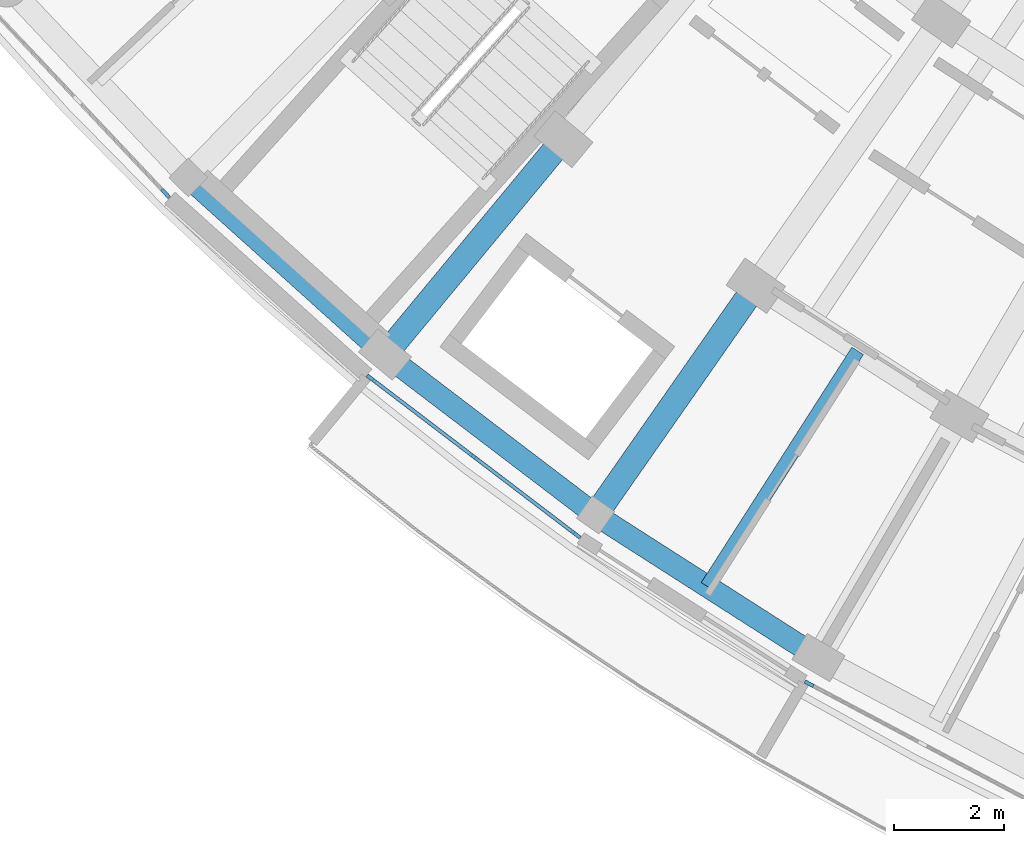
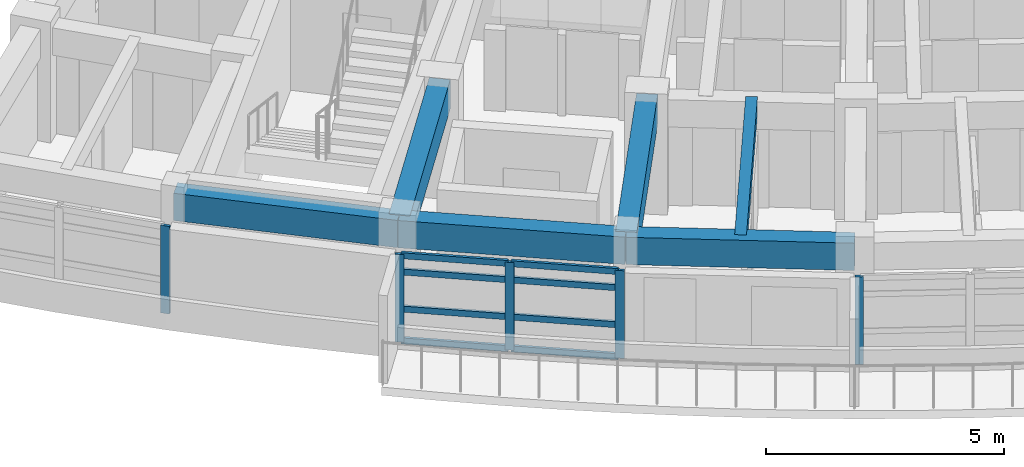
# One storey, part 10 of 70: 13 members, 6 beams, 3 elements without a shape of their own.
"""IFC4 building model written with IfcOpenShell, lengths in metres."""

from ifc_helpers import new_model, si_unit, direction, frame, origin, origin_2d, place, context, subcontext, project, spatial, rectangle, extrude, material, material_profile, profile_set, type_object, element, aggregate, save


model = new_model("IFC4")

# Units and contexts
model_context = context("Model", 3, precision=1e-05, world=origin(), true_north=direction((0.0, 1.0)))
body_context = subcontext(model_context, "Body", "Model", "MODEL_VIEW")
ifc_project = project(units=[si_unit("LENGTHUNIT", "METRE"), si_unit("AREAUNIT", "SQUARE_METRE"), si_unit("VOLUMEUNIT", "CUBIC_METRE"), si_unit("PLANEANGLEUNIT", "RADIAN"), si_unit("MASSUNIT", "GRAM", prefix="KILO")], contexts=[model_context])

# Site, building, storey
site_placement = place(None, origin())
site = spatial("IfcSite", under=ifc_project, at=site_placement, CompositionType="ELEMENT")
building_placement = place(site_placement, origin())
building = spatial("IfcBuilding", under=site, at=building_placement, Name="Zimvara Arc Housing Community", CompositionType="ELEMENT")
storey_placement = place(building_placement, frame((0.0, 0.0, 8.10009765625)))
storey = spatial("IfcBuildingStorey", under=building, at=storey_placement, Name="L02", CompositionType="ELEMENT", Elevation=8.10009765625)

# Beams
ifc_material_1 = material(Name="Concrete C40/50", Category="concrete")
ifc_material_profile_1 = material_profile(ifc_material_1, rectangle(XDim=0.25, YDim=0.449951171875, at=origin_2d()), Name="RC 250x450")
ifc_profile_set_1 = profile_set([ifc_material_profile_1], Name="Concrete C40/50")
beam_type_1 = type_object("IfcBeamType", Name="BM-RC-250x450", PredefinedType="JOIST", material=ifc_profile_set_1)
beam_1_placement = place(storey_placement, frame((97.00244140625, 64.583984375, 2.65478515625), z_axis=(-0.539052331508, -0.842272274206, 0.0), x_axis=(0.842272274206, -0.539052331508, 0.0)))
element("IfcBeam", 1, at=beam_1_placement, inside=storey, type_object=beam_type_1, Name="bm:blkC:L02:joist:b3", PredefinedType="JOIST", context=body_context, shape_type="SweptSolid", body=[
    extrude(rectangle(XDim=0.25, YDim=0.449951171875, at=origin_2d()), origin(), (0.0, 0.0, 1.0), 5.07568359375),
])
ifc_material_2 = material(Name="Concrete C40/50", Category="concrete")
ifc_material_profile_2 = material_profile(ifc_material_2, rectangle(XDim=0.39990234375, YDim=0.699951171875, at=origin_2d()), Name="RC 400x700")
ifc_profile_set_2 = profile_set([ifc_material_profile_2], Name="Concrete C40/50")
beam_type_2 = type_object("IfcBeamType", Name="BM-RC-400x700", PredefinedType="BEAM", material=ifc_profile_set_2)
for number, where, z_axis, x_axis, name in (
    (2, (84.842529296875, 67.734375, 2.52978515625), (0.743369885629, -0.668880567172, 0.0), (0.668880567172, 0.743369885629, 0.0), "bm:blkC:L02:chord:r3:b1"),
    (3, (88.416748046875, 64.518310546875, 2.52978515625), (0.795480673672, -0.605978958228, 0.0), (0.605978958228, 0.795480673672, 0.0), "bm:blkC:L02:chord:r3:b2"),
    (4, (92.241455078125, 61.604736328125, 2.52978515625), (0.842278777856, -0.539042169383, 0.0), (0.539042169383, 0.842278777856, 0.0), "bm:blkC:L02:chord:r3:b3"),
):
    element("IfcBeam", number, at=place(storey_placement, frame(where, z_axis=z_axis, x_axis=x_axis)), inside=storey, type_object=beam_type_2, Name=name, PredefinedType="BEAM", context=body_context, shape_type="SweptSolid", body=[
        extrude(rectangle(XDim=0.39990234375, YDim=0.699951171875, at=origin_2d()), origin(), (0.0, 0.0, 1.0), 4.80810546875),
    ])
ifc_material_3 = material(Name="Concrete C40/50", Category="concrete")
ifc_material_profile_3 = material_profile(ifc_material_3, rectangle(XDim=0.449951171875, YDim=0.75, at=origin_2d()), Name="RC 450x750")
ifc_profile_set_3 = profile_set([ifc_material_profile_3], Name="Concrete C40/50")
beam_type_3 = type_object("IfcBeamType", Name="BM-RC-450x750", PredefinedType="BEAM", material=ifc_profile_set_3)
beam_2_placement = place(storey_placement, frame((91.65771484375, 68.430419921875, 2.5048828125), z_axis=(-0.637960059333, -0.770069453164, 0.0), x_axis=(0.770069453164, -0.637960059333, 0.0)))
element("IfcBeam", 5, at=beam_2_placement, inside=storey, type_object=beam_type_3, Name="bm:blkC:L02:rad:b2:r23", PredefinedType="BEAM", context=body_context, shape_type="SweptSolid", body=[
    extrude(rectangle(XDim=0.449951171875, YDim=0.75, at=origin_2d()), origin(), (0.0, 0.0, 1.0), 5.080322265625),
])
beam_3_placement = place(storey_placement, frame((95.15234375, 65.76806640625, 2.5048828125), z_axis=(-0.573007469479, -0.819550144848, 0.0), x_axis=(0.819550144848, -0.573007469479, 0.0)))
element("IfcBeam", 6, at=beam_3_placement, inside=storey, type_object=beam_type_3, Name="bm:blkC:L02:rad:b3:r23", PredefinedType="BEAM", context=body_context, shape_type="SweptSolid", body=[
    extrude(rectangle(XDim=0.449951171875, YDim=0.75, at=origin_2d()), origin(), (0.0, 0.0, 1.0), 5.080078125),
])

# Curtain wall, member
ifc_material_4 = material(Name="Anodised Aluminium AW-6063", Category="aluminium")
curtain_wall_type_1 = type_object("IfcCurtainWallType", Name="CW-SYS-02", PredefinedType="USERDEFINED", material=ifc_material_4)
curtain_wall_1_placement = place(storey_placement, origin())
curtain_wall_1 = element("IfcCurtainWall", 7, at=curtain_wall_1_placement, inside=storey, type_object=curtain_wall_type_1, Name="cw:blkC:L02:out:b4", ObjectType="CURTAIN WALL", PredefinedType="USERDEFINED")
ifc_material_5 = material(Name="Anodised Aluminium AW-6063", Category="aluminium")
ifc_material_profile_4 = material_profile(ifc_material_5, rectangle(XDim=0.06494140625, YDim=0.179931640625, at=origin_2d()), Name="ALU 65x180")
ifc_profile_set_4 = profile_set([ifc_material_profile_4], Name="Anodised Aluminium AW-6063")
member_type_1 = type_object("IfcMemberType", Name="CWM-65x150", PredefinedType="MULLION", material=ifc_profile_set_4)
member_1_placement = place(storey_placement, frame((96.120849609375, 58.537841796875, 0.0), z_axis=(0.0, 0.0, 1.0), x_axis=(0.468546917761, 0.883438614651, 0.0)))
member_1 = element("IfcMember", 8, at=member_1_placement, type_object=member_type_1, Name="CW02 mullion 1", PredefinedType="MULLION", context=body_context, shape_type="SweptSolid", body=[
    extrude(rectangle(XDim=0.06494140625, YDim=0.179931640625, at=origin_2d()), origin(), (0.0, 0.0, 1.0), 2.25),
])
aggregate(curtain_wall_1, [member_1])

ifc_material_6 = material(Name="Anodised Aluminium AW-6063", Category="aluminium")
curtain_wall_type_2 = type_object("IfcCurtainWallType", Name="CW-SYS-05", PredefinedType="USERDEFINED", material=ifc_material_6)
curtain_wall_2_placement = place(storey_placement, origin())
curtain_wall_2 = element("IfcCurtainWall", 9, at=curtain_wall_2_placement, inside=storey, type_object=curtain_wall_type_2, Name="cw:blkC:L02:out:b0", ObjectType="CURTAIN WALL", PredefinedType="USERDEFINED")
ifc_material_7 = material(Name="Anodised Aluminium AW-6063", Category="aluminium")
ifc_material_profile_5 = material_profile(ifc_material_7, rectangle(XDim=0.06494140625, YDim=0.195068359375, at=origin_2d()), Name="ALU 65x195")
ifc_profile_set_5 = profile_set([ifc_material_profile_5], Name="Anodised Aluminium AW-6063")
member_type_2 = type_object("IfcMemberType", Name="CWM-65x180", PredefinedType="MULLION", material=ifc_profile_set_5)
member_2_placement = place(storey_placement, frame((84.4296875, 67.44384765625, 0.0), z_axis=(0.0, 0.0, 1.0), x_axis=(0.727293647725, 0.686326416495, 0.0)))
member_2 = element("IfcMember", 10, at=member_2_placement, type_object=member_type_2, Name="CW05 mullion 3", PredefinedType="MULLION", context=body_context, shape_type="SweptSolid", body=[
    extrude(rectangle(XDim=0.06494140625, YDim=0.195068359375, at=origin_2d()), origin(), (0.0, 0.0, 1.0), 2.25),
])
aggregate(curtain_wall_2, [member_2])

# Curtain wall, members
ifc_material_8 = material(Name="Anodised Aluminium AW-6063", Category="aluminium")
curtain_wall_type_3 = type_object("IfcCurtainWallType", Name="CW-SYS-07", PredefinedType="USERDEFINED", material=ifc_material_8)
curtain_wall_3_placement = place(storey_placement, origin())
curtain_wall_3 = element("IfcCurtainWall", 11, at=curtain_wall_3_placement, inside=storey, type_object=curtain_wall_type_3, Name="cw:blkC:L02:out:b2", ObjectType="CURTAIN WALL", PredefinedType="USERDEFINED")
member_3_placement = place(storey_placement, frame((88.17138671875, 64.077392578125, 0.0), z_axis=(0.0, 0.0, 1.0), x_axis=(0.60598771987, 0.795473999177, 0.0)))
member_3 = element("IfcMember", 12, at=member_3_placement, type_object=member_type_2, Name="CW07 mullion 1", PredefinedType="MULLION", context=body_context, shape_type="SweptSolid", body=[
    extrude(rectangle(XDim=0.06494140625, YDim=0.195068359375, at=origin_2d()), origin(), (0.0, 0.0, 1.0), 2.25),
])
member_4_placement = place(storey_placement, frame((90.0263671875, 62.6640625, 0.0), z_axis=(0.0, 0.0, 1.0), x_axis=(0.60598771987, 0.795473999177, 0.0)))
member_4 = element("IfcMember", 13, at=member_4_placement, type_object=member_type_2, Name="CW07 mullion 2", PredefinedType="MULLION", context=body_context, shape_type="SweptSolid", body=[
    extrude(rectangle(XDim=0.06494140625, YDim=0.195068359375, at=origin_2d()), origin(), (0.0, 0.0, 1.0), 2.25),
])
member_5_placement = place(storey_placement, frame((91.88134765625, 61.2509765625, 0.0), z_axis=(0.0, 0.0, 1.0), x_axis=(0.60598771987, 0.795473999177, 0.0)))
member_5 = element("IfcMember", 14, at=member_5_placement, type_object=member_type_2, Name="CW07 mullion 3", PredefinedType="MULLION", context=body_context, shape_type="SweptSolid", body=[
    extrude(rectangle(XDim=0.06494140625, YDim=0.195068359375, at=origin_2d()), origin(), (0.0, 0.0, 1.0), 2.25),
])
ifc_material_9 = material(Name="Anodised Aluminium AW-6063", Category="aluminium")
ifc_material_profile_6 = material_profile(ifc_material_9, rectangle(XDim=0.06494140625, YDim=0.155029296875, at=origin_2d()), Name="ALU 65x155")
ifc_profile_set_6 = profile_set([ifc_material_profile_6], Name="Anodised Aluminium AW-6063")
member_type_3 = type_object("IfcMemberType", Name="CWT-65x140", PredefinedType="USERDEFINED", material=ifc_profile_set_6)
member_6_placement = place(storey_placement, frame((88.197265625, 64.0576171875, 0.032470703125), z_axis=(0.795453969776, -0.606014011363, 0.0), x_axis=(0.606014011363, 0.795453969776, 0.0)))
member_6 = element("IfcMember", 15, at=member_6_placement, type_object=member_type_3, Name="CW07 transom 1.1", ObjectType="TRANSOM", PredefinedType="USERDEFINED", context=body_context, shape_type="SweptSolid", body=[
    extrude(rectangle(XDim=0.06494140625, YDim=0.155029296875, at=origin_2d()), origin(), (0.0, 0.0, 1.0), 2.266845703125),
])
member_7_placement = place(storey_placement, frame((88.197265625, 64.0576171875, 0.849853515625), z_axis=(0.795453969776, -0.606014011363, 0.0), x_axis=(0.606014011363, 0.795453969776, 0.0)))
member_7 = element("IfcMember", 16, at=member_7_placement, type_object=member_type_3, Name="CW07 transom 1.2", ObjectType="TRANSOM", PredefinedType="USERDEFINED", context=body_context, shape_type="SweptSolid", body=[
    extrude(rectangle(XDim=0.06494140625, YDim=0.155029296875, at=origin_2d()), origin(), (0.0, 0.0, 1.0), 2.266845703125),
])
member_8_placement = place(storey_placement, frame((88.197265625, 64.0576171875, 1.7998046875), z_axis=(0.795453969776, -0.606014011363, 0.0), x_axis=(0.606014011363, 0.795453969776, 0.0)))
member_8 = element("IfcMember", 17, at=member_8_placement, type_object=member_type_3, Name="CW07 transom 1.3", ObjectType="TRANSOM", PredefinedType="USERDEFINED", context=body_context, shape_type="SweptSolid", body=[
    extrude(rectangle(XDim=0.06494140625, YDim=0.155029296875, at=origin_2d()), origin(), (0.0, 0.0, 1.0), 2.266845703125),
])
member_9_placement = place(storey_placement, frame((88.197265625, 64.0576171875, 2.21728515625), z_axis=(0.795453969776, -0.606014011363, 0.0), x_axis=(0.606014011363, 0.795453969776, 0.0)))
member_9 = element("IfcMember", 18, at=member_9_placement, type_object=member_type_3, Name="CW07 transom 1.4", ObjectType="TRANSOM", PredefinedType="USERDEFINED", context=body_context, shape_type="SweptSolid", body=[
    extrude(rectangle(XDim=0.06494140625, YDim=0.155029296875, at=origin_2d()), origin(), (0.0, 0.0, 1.0), 2.266845703125),
])
member_10_placement = place(storey_placement, frame((90.05224609375, 62.64453125, 0.032470703125), z_axis=(0.795453969776, -0.606014011363, 0.0), x_axis=(0.606014011363, 0.795453969776, 0.0)))
member_10 = element("IfcMember", 19, at=member_10_placement, type_object=member_type_3, Name="CW07 transom 2.1", ObjectType="TRANSOM", PredefinedType="USERDEFINED", context=body_context, shape_type="SweptSolid", body=[
    extrude(rectangle(XDim=0.06494140625, YDim=0.155029296875, at=origin_2d()), origin(), (0.0, 0.0, 1.0), 2.266845703125),
])
member_11_placement = place(storey_placement, frame((90.05224609375, 62.64453125, 0.849853515625), z_axis=(0.795453969776, -0.606014011363, 0.0), x_axis=(0.606014011363, 0.795453969776, 0.0)))
member_11 = element("IfcMember", 20, at=member_11_placement, type_object=member_type_3, Name="CW07 transom 2.2", ObjectType="TRANSOM", PredefinedType="USERDEFINED", context=body_context, shape_type="SweptSolid", body=[
    extrude(rectangle(XDim=0.06494140625, YDim=0.155029296875, at=origin_2d()), origin(), (0.0, 0.0, 1.0), 2.266845703125),
])
member_12_placement = place(storey_placement, frame((90.05224609375, 62.64453125, 1.7998046875), z_axis=(0.795453969776, -0.606014011363, 0.0), x_axis=(0.606014011363, 0.795453969776, 0.0)))
member_12 = element("IfcMember", 21, at=member_12_placement, type_object=member_type_3, Name="CW07 transom 2.3", ObjectType="TRANSOM", PredefinedType="USERDEFINED", context=body_context, shape_type="SweptSolid", body=[
    extrude(rectangle(XDim=0.06494140625, YDim=0.155029296875, at=origin_2d()), origin(), (0.0, 0.0, 1.0), 2.266845703125),
])
member_13_placement = place(storey_placement, frame((90.05224609375, 62.64453125, 2.21728515625), z_axis=(0.795453969776, -0.606014011363, 0.0), x_axis=(0.606014011363, 0.795453969776, 0.0)))
member_13 = element("IfcMember", 22, at=member_13_placement, type_object=member_type_3, Name="CW07 transom 2.4", ObjectType="TRANSOM", PredefinedType="USERDEFINED", context=body_context, shape_type="SweptSolid", body=[
    extrude(rectangle(XDim=0.06494140625, YDim=0.155029296875, at=origin_2d()), origin(), (0.0, 0.0, 1.0), 2.266845703125),
])
aggregate(curtain_wall_3, [member_3, member_4, member_5, member_6, member_7, member_8, member_9, member_10, member_11, member_12, member_13])

save(model, "model.ifc")
